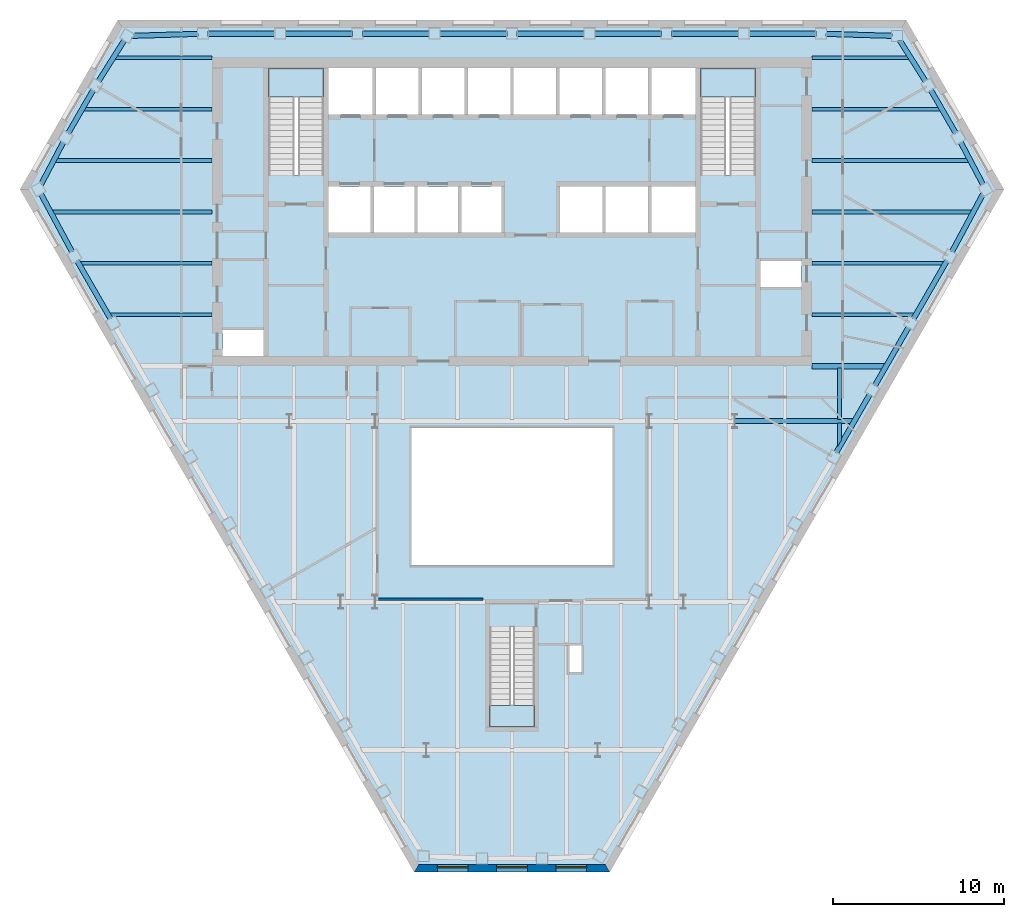
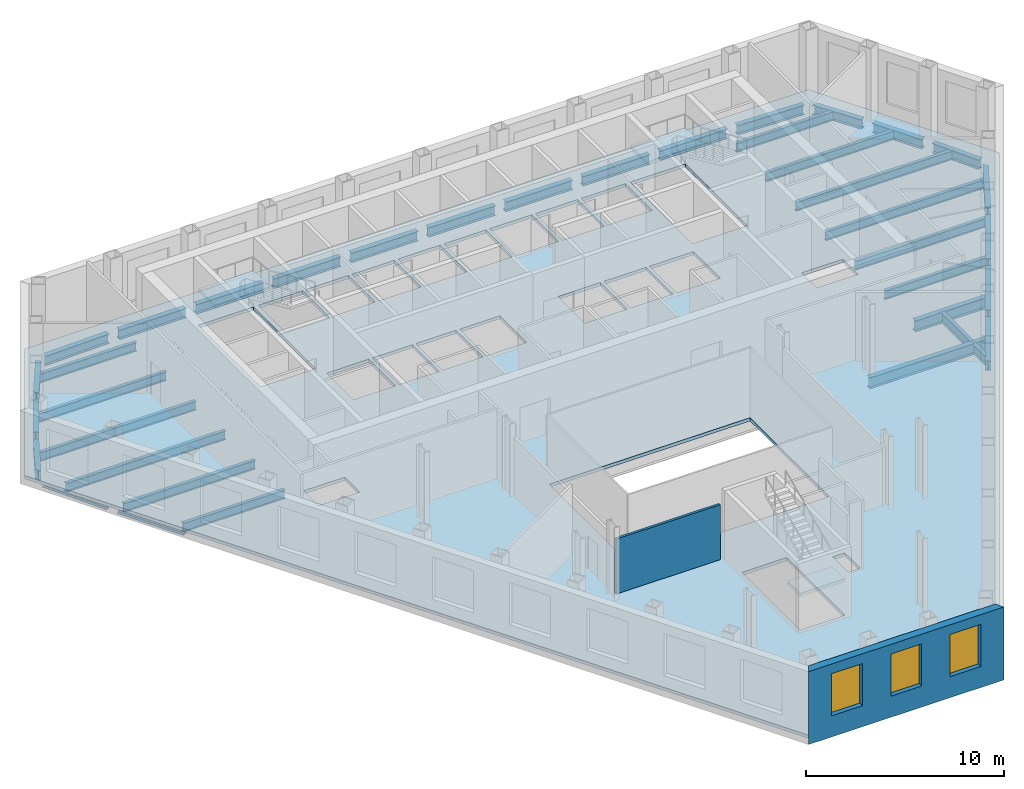
# One storey, part 3 of 10: 38 beams, 4 slabs, 3 windows, 2 walls, 3 openings, 3 elements without a shape of their own.
"""IFC4 building model written with IfcOpenShell, lengths in metres."""

from ifc_helpers import new_model, si_unit, direction, frame, frame_2d, origin, origin_2d, place, context, subcontext, project, spatial, polyline, rectangle, i_section, outline, extrude, clip, halfspace, material, layer, layer_set, material_profile, profile_set, type_object, element, fill, aggregate, save


model = new_model("IFC4")

# Units and contexts
model_context = context("Model", 3, precision=1e-05, world=origin(), true_north=direction((0.0, 1.0)))
body_context = subcontext(model_context, "Body", "Model", "MODEL_VIEW")
ifc_project = project(units=[si_unit("LENGTHUNIT", "METRE"), si_unit("AREAUNIT", "SQUARE_METRE"), si_unit("VOLUMEUNIT", "CUBIC_METRE"), si_unit("PLANEANGLEUNIT", "RADIAN"), si_unit("MASSUNIT", "GRAM", prefix="KILO")], contexts=[model_context])

# Site, building, storey
site_placement = place(None, origin())
site = spatial("IfcSite", under=ifc_project, at=site_placement, CompositionType="ELEMENT")
building_placement = place(site_placement, origin())
building = spatial("IfcBuilding", under=site, at=building_placement, Name="Njiva Tower", CompositionType="ELEMENT")
storey_placement = place(building_placement, frame((0.0, 0.0, 51.3)))
storey = spatial("IfcBuildingStorey", under=building, at=storey_placement, Name="L10", CompositionType="ELEMENT", Elevation=51.3)

# Beams
ifc_material_1 = material(Name="Steel S355 J2", Category="steel")
ifc_material_profile_1 = material_profile(ifc_material_1, i_section(OverallWidth=0.21, OverallDepth=0.55, WebThickness=0.0111, FlangeThickness=0.0172, at=origin_2d()), Name="IPE 550")
ifc_profile_set_1 = profile_set([ifc_material_profile_1], Name="Steel S355 J2")
beam_type_1 = type_object("IfcBeamType", Name="B10 Floor beam to the core IPE 550", PredefinedType="BEAM", material=ifc_profile_set_1)
beam_1_placement = place(storey_placement, frame((-23.521, 3.0, -0.475), z_axis=(1.0, 0.0, 0.0), x_axis=(0.0, 1.0, 0.0)))
element("IfcBeam", 1, at=beam_1_placement, inside=storey, type_object=beam_type_1, Name="Floor beam to the core S03-B006", PredefinedType="BEAM", context=body_context, shape_type="Clipping", body=[
    clip(extrude(i_section(OverallWidth=0.21, OverallDepth=0.55, WebThickness=0.0111, FlangeThickness=0.0172, at=origin_2d()), origin(), (0.0, 0.0, 1.0), 6.021), halfspace(frame((-0.025, 0.0, 0.0951), z_axis=(-0.499998009787, 0.0, -0.866026552831), x_axis=(0.0, -1.0, 0.0)), False)),
])
beam_2_placement = place(storey_placement, frame((17.5, 3.0, -0.475), z_axis=(1.0, 0.0, 0.0), x_axis=(0.0, 1.0, 0.0)))
element("IfcBeam", 2, at=beam_2_placement, inside=storey, type_object=beam_type_1, Name="Floor beam to the core S03-B008", PredefinedType="BEAM", context=body_context, shape_type="Clipping", body=[
    clip(extrude(i_section(OverallWidth=0.21, OverallDepth=0.55, WebThickness=0.0111, FlangeThickness=0.0172, at=origin_2d()), origin(), (0.0, 0.0, 1.0), 6.021), halfspace(frame((-0.025, 0.0, 5.9259), z_axis=(-0.499998009787, 0.0, 0.866026552831), x_axis=(0.0, 1.0, 0.0)), False)),
])
beam_3_placement = place(storey_placement, frame((-25.253, 6.0, -0.475), z_axis=(1.0, 0.0, 0.0), x_axis=(0.0, 1.0, 0.0)))
element("IfcBeam", 3, at=beam_3_placement, inside=storey, type_object=beam_type_1, Name="Floor beam to the core S03-B004", PredefinedType="BEAM", context=body_context, shape_type="Clipping", body=[
    clip(extrude(i_section(OverallWidth=0.21, OverallDepth=0.55, WebThickness=0.0111, FlangeThickness=0.0172, at=origin_2d()), origin(), (0.0, 0.0, 1.0), 7.753), halfspace(frame((-0.025, 0.0, 0.095), z_axis=(-0.499998009787, 0.0, -0.866026552831), x_axis=(0.0, -1.0, 0.0)), False)),
])
beam_4_placement = place(storey_placement, frame((17.5, 6.0, -0.475), z_axis=(1.0, 0.0, 0.0), x_axis=(0.0, 1.0, 0.0)))
element("IfcBeam", 4, at=beam_4_placement, inside=storey, type_object=beam_type_1, Name="Floor beam to the core S03-B009", PredefinedType="BEAM", context=body_context, shape_type="Clipping", body=[
    clip(extrude(i_section(OverallWidth=0.21, OverallDepth=0.55, WebThickness=0.0111, FlangeThickness=0.0172, at=origin_2d()), origin(), (0.0, 0.0, 1.0), 7.753), halfspace(frame((-0.025, 0.0, 7.658), z_axis=(-0.499998009787, 0.0, 0.866026552831), x_axis=(0.0, 1.0, 0.0)), False)),
])
beam_5_placement = place(storey_placement, frame((-26.881, 9.0, -0.475), z_axis=(1.0, 0.0, 0.0), x_axis=(0.0, 1.0, 0.0)))
element("IfcBeam", 5, at=beam_5_placement, inside=storey, type_object=beam_type_1, Name="Floor beam to the core S03-B001", PredefinedType="BEAM", context=body_context, shape_type="Clipping", body=[
    clip(extrude(i_section(OverallWidth=0.21, OverallDepth=0.55, WebThickness=0.0111, FlangeThickness=0.0172, at=origin_2d()), origin(), (0.0, 0.0, 1.0), 9.381), halfspace(frame((-0.0237, 0.0, 0.0892), z_axis=(-0.473769423091, 0.0, -0.880648927634), x_axis=(0.0, -1.0, 0.0)), False)),
])
beam_6_placement = place(storey_placement, frame((17.5, 9.0, -0.475), z_axis=(1.0, 0.0, 0.0), x_axis=(0.0, 1.0, 0.0)))
element("IfcBeam", 6, at=beam_6_placement, inside=storey, type_object=beam_type_1, Name="Floor beam to the core S03-B011", PredefinedType="BEAM", context=body_context, shape_type="Clipping", body=[
    clip(extrude(i_section(OverallWidth=0.21, OverallDepth=0.55, WebThickness=0.0111, FlangeThickness=0.0172, at=origin_2d()), origin(), (0.0, 0.0, 1.0), 9.381), halfspace(frame((-0.0237, 0.0, 9.2918), z_axis=(-0.473769423091, 0.0, 0.880648927634), x_axis=(0.0, 1.0, 0.0)), False)),
])
beam_7_placement = place(storey_placement, frame((-26.704, 12.0, -0.475), z_axis=(1.0, 0.0, 0.0), x_axis=(0.0, 1.0, 0.0)))
element("IfcBeam", 7, at=beam_7_placement, inside=storey, type_object=beam_type_1, Name="Floor beam to the core S03-B002", PredefinedType="BEAM", context=body_context, shape_type="Clipping", body=[
    clip(extrude(i_section(OverallWidth=0.21, OverallDepth=0.55, WebThickness=0.0111, FlangeThickness=0.0172, at=origin_2d()), origin(), (0.0, 0.0, 1.0), 9.204), halfspace(frame((0.0233, 0.0, 0.0871), z_axis=(0.465930652932, 0.0, -0.884821239945), x_axis=(0.0, -1.0, 0.0)), False)),
])
beam_8_placement = place(storey_placement, frame((17.5, 12.0, -0.475), z_axis=(1.0, 0.0, 0.0), x_axis=(0.0, 1.0, 0.0)))
element("IfcBeam", 8, at=beam_8_placement, inside=storey, type_object=beam_type_1, Name="Floor beam to the core S03-B012", PredefinedType="BEAM", context=body_context, shape_type="Clipping", body=[
    clip(extrude(i_section(OverallWidth=0.21, OverallDepth=0.55, WebThickness=0.0111, FlangeThickness=0.0172, at=origin_2d()), origin(), (0.0, 0.0, 1.0), 9.204), halfspace(frame((0.0233, 0.0, 9.1169), z_axis=(0.465930652932, 0.0, 0.884821239945), x_axis=(0.0, 1.0, 0.0)), False)),
])
beam_9_placement = place(storey_placement, frame((-25.044, 15.0, -0.475), z_axis=(1.0, 0.0, 0.0), x_axis=(0.0, 1.0, 0.0)))
element("IfcBeam", 9, at=beam_9_placement, inside=storey, type_object=beam_type_1, Name="Floor beam to the core S03-B005", PredefinedType="BEAM", context=body_context, shape_type="Clipping", body=[
    clip(extrude(i_section(OverallWidth=0.21, OverallDepth=0.55, WebThickness=0.0111, FlangeThickness=0.0172, at=origin_2d()), origin(), (0.0, 0.0, 1.0), 7.544), halfspace(frame((0.025, 0.0, 0.0954), z_axis=(0.499998009787, 0.0, -0.866026552831), x_axis=(0.0, -1.0, 0.0)), False)),
])
beam_10_placement = place(storey_placement, frame((17.5, 15.0, -0.475), z_axis=(1.0, 0.0, 0.0), x_axis=(0.0, 1.0, 0.0)))
element("IfcBeam", 10, at=beam_10_placement, inside=storey, type_object=beam_type_1, Name="Floor beam to the core S03-B013", PredefinedType="BEAM", context=body_context, shape_type="Clipping", body=[
    clip(extrude(i_section(OverallWidth=0.21, OverallDepth=0.55, WebThickness=0.0111, FlangeThickness=0.0172, at=origin_2d()), origin(), (0.0, 0.0, 1.0), 7.544), halfspace(frame((0.025, 0.0, 7.4486), z_axis=(0.499998009787, 0.0, 0.866026552831), x_axis=(0.0, 1.0, 0.0)), False)),
])
beam_11_placement = place(storey_placement, frame((-23.228, 18.0, -0.475), z_axis=(1.0, 0.0, 0.0), x_axis=(0.0, 1.0, 0.0)))
element("IfcBeam", 11, at=beam_11_placement, inside=storey, type_object=beam_type_1, Name="Floor beam to the core S03-B007", PredefinedType="BEAM", context=body_context, shape_type="Clipping", body=[
    clip(extrude(i_section(OverallWidth=0.21, OverallDepth=0.55, WebThickness=0.0111, FlangeThickness=0.0172, at=origin_2d()), origin(), (0.0, 0.0, 1.0), 5.728), halfspace(frame((0.0267, 0.0, 0.103), z_axis=(0.533317101749, 0.0, -0.84591540297), x_axis=(0.0, -1.0, 0.0)), False)),
])
beam_12_placement = place(storey_placement, frame((17.5, 18.0, -0.475), z_axis=(1.0, 0.0, 0.0), x_axis=(0.0, 1.0, 0.0)))
element("IfcBeam", 12, at=beam_12_placement, inside=storey, type_object=beam_type_1, Name="Floor beam to the core S03-B014", PredefinedType="BEAM", context=body_context, shape_type="Clipping", body=[
    clip(extrude(i_section(OverallWidth=0.21, OverallDepth=0.55, WebThickness=0.0111, FlangeThickness=0.0172, at=origin_2d()), origin(), (0.0, 0.0, 1.0), 5.728), halfspace(frame((0.0267, 0.0, 5.625), z_axis=(0.533317101749, 0.0, 0.84591540297), x_axis=(0.0, 1.0, 0.0)), False)),
])
ifc_material_profile_2 = material_profile(ifc_material_1, i_section(OverallWidth=0.22, OverallDepth=0.6, WebThickness=0.012, FlangeThickness=0.019, at=origin_2d()), Name="IPE 600")
ifc_profile_set_2 = profile_set([ifc_material_profile_2], Name="Steel S355 J2")
beam_type_2 = type_object("IfcBeamType", Name="B14 Short-span floor joist IPE 600", PredefinedType="JOIST", material=ifc_profile_set_2)
beam_13_placement = place(storey_placement, frame((19.1, -0.1, -0.5), z_axis=(0.0, -1.0, 0.0), x_axis=(1.0, 0.0, 0.0)))
element("IfcBeam", 13, at=beam_13_placement, inside=storey, type_object=beam_type_2, Name="Short-span floor joist S03-B096", PredefinedType="JOIST", context=body_context, shape_type="SweptSolid", body=[
    extrude(i_section(OverallWidth=0.22, OverallDepth=0.6, WebThickness=0.012, FlangeThickness=0.019, at=origin_2d()), origin(), (0.0, 0.0, 1.0), 3.0),
])
beam_14_placement = place(storey_placement, frame((19.1, -3.3, -0.5), z_axis=(0.0, -1.0, 0.0), x_axis=(1.0, 0.0, 0.0)))
element("IfcBeam", 14, at=beam_14_placement, inside=storey, type_object=beam_type_2, Name="Short-span floor joist S03-B095", PredefinedType="JOIST", context=body_context, shape_type="Clipping", body=[
    clip(extrude(i_section(OverallWidth=0.22, OverallDepth=0.6, WebThickness=0.012, FlangeThickness=0.019, at=origin_2d()), origin(), (0.0, 0.0, 1.0), 1.429), halfspace(frame((0.0433, 0.0, 1.1427), z_axis=(0.866026552831, 0.0, 0.499998009787), x_axis=(0.0, 1.0, 0.0)), False)),
])
ifc_material_profile_3 = material_profile(ifc_material_1, i_section(OverallWidth=0.3, OverallDepth=0.69, WebThickness=0.0145, FlangeThickness=0.027, at=origin_2d()), Name="HEA 700")
ifc_profile_set_3 = profile_set([ifc_material_profile_3], Name="Steel S355 J2")
beam_type_3 = type_object("IfcBeamType", Name="B15 Floor girder HEA 700", PredefinedType="BEAM", material=ifc_profile_set_3)
beam_15_placement = place(storey_placement, frame((13.0, -3.2, -0.545), z_axis=(1.0, 0.0, 0.0), x_axis=(0.0, 1.0, 0.0)))
element("IfcBeam", 15, at=beam_15_placement, inside=storey, type_object=beam_type_3, Name="Floor girder S03-B026", PredefinedType="BEAM", context=body_context, shape_type="Clipping", body=[
    clip(extrude(i_section(OverallWidth=0.3, OverallDepth=0.69, WebThickness=0.0145, FlangeThickness=0.027, at=origin_2d()), origin(), (0.0, 0.0, 1.0), 6.968), halfspace(frame((-0.025, 0.0, 6.8463), z_axis=(-0.499998009787, 0.0, 0.866026552831), x_axis=(0.0, 1.0, 0.0)), False)),
])
ifc_material_profile_4 = material_profile(ifc_material_1, i_section(OverallWidth=0.3, OverallDepth=0.69, WebThickness=0.0145, FlangeThickness=0.027, at=origin_2d()), Name="HEA 700")
ifc_profile_set_4 = profile_set([ifc_material_profile_4], Name="Steel S355 J2")
beam_type_4 = type_object("IfcBeamType", Name="B16 Short-span floor girder HEA 700", PredefinedType="BEAM", material=ifc_profile_set_4)
beam_16_placement = place(storey_placement, frame((17.5, 0.0, -0.545), z_axis=(1.0, 0.0, 0.0), x_axis=(0.0, 1.0, 0.0)))
element("IfcBeam", 16, at=beam_16_placement, inside=storey, type_object=beam_type_4, Name="Short-span floor girder S03-B027", PredefinedType="BEAM", context=body_context, shape_type="Clipping", body=[
    clip(extrude(i_section(OverallWidth=0.3, OverallDepth=0.69, WebThickness=0.0145, FlangeThickness=0.027, at=origin_2d()), origin(), (0.0, 0.0, 1.0), 4.315), halfspace(frame((-0.025, 0.0, 4.1939), z_axis=(-0.499998009787, 0.0, 0.866026552831), x_axis=(0.0, 1.0, 0.0)), False)),
])
ifc_material_profile_5 = material_profile(ifc_material_1, i_section(OverallWidth=0.3, OverallDepth=0.6, WebThickness=0.0155, FlangeThickness=0.03, at=origin_2d()), Name="HEB 600")
ifc_profile_set_5 = profile_set([ifc_material_profile_5], Name="Steel S355 J2")
beam_type_5 = type_object("IfcBeamType", Name="B3 Short-span spandrel beam HEB 600", PredefinedType="SPANDREL", material=ifc_profile_set_5)
beam_17_placement = place(storey_placement, frame((22.157, 19.276, -0.5), z_axis=(-0.999547870884, 0.030067487615, 0.0), x_axis=(-0.030067487615, -0.999547870884, 0.0)))
element("IfcBeam", 17, at=beam_17_placement, inside=storey, type_object=beam_type_5, Name="Short-span spandrel beam S03-B161", PredefinedType="SPANDREL", context=body_context, shape_type="SweptSolid", body=[
    extrude(i_section(OverallWidth=0.3, OverallDepth=0.6, WebThickness=0.0155, FlangeThickness=0.03, at=origin_2d()), origin(), (0.0, 0.0, 1.0), 3.8247),
])
beam_18_placement = place(storey_placement, frame((17.73, 19.4, -0.5), z_axis=(-1.0, 0.0, 0.0), x_axis=(0.0, -1.0, 0.0)))
element("IfcBeam", 18, at=beam_18_placement, inside=storey, type_object=beam_type_5, Name="Short-span spandrel beam S03-B155", PredefinedType="SPANDREL", context=body_context, shape_type="SweptSolid", body=[
    extrude(i_section(OverallWidth=0.3, OverallDepth=0.6, WebThickness=0.0155, FlangeThickness=0.03, at=origin_2d()), origin(), (0.0, 0.0, 1.0), 3.907),
])
beam_19_placement = place(storey_placement, frame((13.223, 19.4, -0.5), z_axis=(-1.0, 0.0, 0.0), x_axis=(0.0, -1.0, 0.0)))
element("IfcBeam", 19, at=beam_19_placement, inside=storey, type_object=beam_type_5, Name="Short-span spandrel beam S03-B149", PredefinedType="SPANDREL", context=body_context, shape_type="SweptSolid", body=[
    extrude(i_section(OverallWidth=0.3, OverallDepth=0.6, WebThickness=0.0155, FlangeThickness=0.03, at=origin_2d()), origin(), (0.0, 0.0, 1.0), 3.908),
])
beam_20_placement = place(storey_placement, frame((8.715, 19.4, -0.5), z_axis=(-1.0, 0.0, 0.0), x_axis=(0.0, -1.0, 0.0)))
element("IfcBeam", 20, at=beam_20_placement, inside=storey, type_object=beam_type_5, Name="Short-span spandrel beam S03-B144", PredefinedType="SPANDREL", context=body_context, shape_type="SweptSolid", body=[
    extrude(i_section(OverallWidth=0.3, OverallDepth=0.6, WebThickness=0.0155, FlangeThickness=0.03, at=origin_2d()), origin(), (0.0, 0.0, 1.0), 3.907),
])
for number, where, z_axis, x_axis, name in (
    (21, (4.208, 19.4, -0.5), (-1.0, 0.0, 0.0), (0.0, -1.0, 0.0), "Short-span spandrel beam S03-B141"),
    (22, (-0.3, 19.4, -0.5), (-1.0, 0.0, 0.0), (0.0, -1.0, 0.0), "Short-span spandrel beam S03-B138"),
):
    element("IfcBeam", number, at=place(storey_placement, frame(where, z_axis=z_axis, x_axis=x_axis)), inside=storey, type_object=beam_type_5, Name=name, PredefinedType="SPANDREL", context=body_context, shape_type="SweptSolid", body=[
        extrude(i_section(OverallWidth=0.3, OverallDepth=0.6, WebThickness=0.0155, FlangeThickness=0.03, at=origin_2d()), origin(), (0.0, 0.0, 1.0), 3.908),
    ])
beam_21_placement = place(storey_placement, frame((-4.808, 19.4, -0.5), z_axis=(-1.0, 0.0, 0.0), x_axis=(0.0, -1.0, 0.0)))
element("IfcBeam", 23, at=beam_21_placement, inside=storey, type_object=beam_type_5, Name="Short-span spandrel beam S03-B133", PredefinedType="SPANDREL", context=body_context, shape_type="SweptSolid", body=[
    extrude(i_section(OverallWidth=0.3, OverallDepth=0.6, WebThickness=0.0155, FlangeThickness=0.03, at=origin_2d()), origin(), (0.0, 0.0, 1.0), 3.907),
])
beam_22_placement = place(storey_placement, frame((-9.315, 19.4, -0.5), z_axis=(-1.0, 0.0, 0.0), x_axis=(0.0, -1.0, 0.0)))
element("IfcBeam", 24, at=beam_22_placement, inside=storey, type_object=beam_type_5, Name="Short-span spandrel beam S03-B128", PredefinedType="SPANDREL", context=body_context, shape_type="SweptSolid", body=[
    extrude(i_section(OverallWidth=0.3, OverallDepth=0.6, WebThickness=0.0155, FlangeThickness=0.03, at=origin_2d()), origin(), (0.0, 0.0, 1.0), 3.908),
])
beam_23_placement = place(storey_placement, frame((-13.823, 19.4, -0.5), z_axis=(-1.0, 0.0, 0.0), x_axis=(0.0, -1.0, 0.0)))
element("IfcBeam", 25, at=beam_23_placement, inside=storey, type_object=beam_type_5, Name="Short-span spandrel beam S03-B122", PredefinedType="SPANDREL", context=body_context, shape_type="SweptSolid", body=[
    extrude(i_section(OverallWidth=0.3, OverallDepth=0.6, WebThickness=0.0155, FlangeThickness=0.03, at=origin_2d()), origin(), (0.0, 0.0, 1.0), 3.907),
])
beam_24_placement = place(storey_placement, frame((-18.334, 19.391, -0.5), z_axis=(-0.999544331639, -0.030184914916, 0.0), x_axis=(0.030184914916, -0.999544331639, 0.0)))
element("IfcBeam", 26, at=beam_24_placement, inside=storey, type_object=beam_type_5, Name="Short-span spandrel beam S03-B116", PredefinedType="SPANDREL", context=body_context, shape_type="Clipping", body=[
    clip(extrude(i_section(OverallWidth=0.3, OverallDepth=0.6, WebThickness=0.0155, FlangeThickness=0.03, at=origin_2d()), origin(), (0.0, 0.0, 1.0), 3.8897), halfspace(frame((-0.0268, 0.0, 3.76), z_axis=(-0.525911114325, 0.0, 0.850539534548), x_axis=(0.0, 1.0, 0.0)), False)),
])
beam_25_placement = place(storey_placement, frame((-22.624, 19.009, -0.5), z_axis=(-0.533256650441, -0.845953512174, 0.0), x_axis=(0.845953512174, -0.533256650441, 0.0)))
element("IfcBeam", 27, at=beam_25_placement, inside=storey, type_object=beam_type_5, Name="Short-span spandrel beam S03-B112", PredefinedType="SPANDREL", context=body_context, shape_type="SweptSolid", body=[
    extrude(i_section(OverallWidth=0.3, OverallDepth=0.6, WebThickness=0.0155, FlangeThickness=0.03, at=origin_2d()), origin(), (0.0, 0.0, 1.0), 2.811),
])
beam_26_placement = place(storey_placement, frame((-24.436, 16.113, -0.5), z_axis=(-0.500150989765, -0.865938212252, 0.0), x_axis=(0.865938212252, -0.500150989765, 0.0)))
element("IfcBeam", 28, at=beam_26_placement, inside=storey, type_object=beam_type_5, Name="Short-span spandrel beam S03-B108", PredefinedType="SPANDREL", context=body_context, shape_type="SweptSolid", body=[
    extrude(i_section(OverallWidth=0.3, OverallDepth=0.6, WebThickness=0.0155, FlangeThickness=0.03, at=origin_2d()), origin(), (0.0, 0.0, 1.0), 2.8951),
])
beam_27_placement = place(storey_placement, frame((-26.176, 13.076, -0.5), z_axis=(-0.465656887995, -0.884965345459, 0.0), x_axis=(0.884965345459, -0.465656887995, 0.0)))
element("IfcBeam", 29, at=beam_27_placement, inside=storey, type_object=beam_type_5, Name="Short-span spandrel beam S03-B105", PredefinedType="SPANDREL", context=body_context, shape_type="Clipping", body=[
    clip(extrude(i_section(OverallWidth=0.3, OverallDepth=0.6, WebThickness=0.0155, FlangeThickness=0.03, at=origin_2d()), origin(), (0.0, 0.0, 1.0), 2.8767), halfspace(frame((-0.0271, 0.0, 2.7449), z_axis=(-0.533575970262, 0.0, 0.845752140972), x_axis=(0.0, 1.0, 0.0)), False)),
])
beam_28_placement = place(storey_placement, frame((-27.484, 10.051, -0.5), z_axis=(0.473881592304, -0.880588573896, 0.0), x_axis=(0.880588573896, 0.473881592304, 0.0)))
element("IfcBeam", 30, at=beam_28_placement, inside=storey, type_object=beam_type_5, Name="Short-span spandrel beam S03-B104", PredefinedType="SPANDREL", context=body_context, shape_type="SweptSolid", body=[
    extrude(i_section(OverallWidth=0.3, OverallDepth=0.6, WebThickness=0.0155, FlangeThickness=0.03, at=origin_2d()), origin(), (0.0, 0.0, 1.0), 3.8259),
])
beam_29_placement = place(storey_placement, frame((-25.377, 6.155, -0.5), z_axis=(0.499855389907, -0.866108878364, 0.0), x_axis=(0.866108878364, 0.499855389907, 0.0)))
element("IfcBeam", 31, at=beam_29_placement, inside=storey, type_object=beam_type_5, Name="Short-span spandrel beam S03-B109", PredefinedType="SPANDREL", context=body_context, shape_type="SweptSolid", body=[
    extrude(i_section(OverallWidth=0.3, OverallDepth=0.6, WebThickness=0.0155, FlangeThickness=0.03, at=origin_2d()), origin(), (0.0, 0.0, 1.0), 3.9071),
])
beam_30_placement = place(storey_placement, frame((18.916, -5.036, -0.5), z_axis=(0.500158186394, 0.865934055563, 0.0), x_axis=(-0.865934055563, 0.500158186394, 0.0)))
element("IfcBeam", 32, at=beam_30_placement, inside=storey, type_object=beam_type_5, Name="Short-span spandrel beam S03-B164", PredefinedType="SPANDREL", context=body_context, shape_type="SweptSolid", body=[
    extrude(i_section(OverallWidth=0.3, OverallDepth=0.6, WebThickness=0.0155, FlangeThickness=0.03, at=origin_2d()), origin(), (0.0, 0.0, 1.0), 3.9068),
])
beam_31_placement = place(storey_placement, frame((21.17, -1.133, -0.5), z_axis=(0.500047346826, 0.865998066356, 0.0), x_axis=(-0.865998066356, 0.500047346826, 0.0)))
element("IfcBeam", 33, at=beam_31_placement, inside=storey, type_object=beam_type_5, Name="Short-span spandrel beam S03-B166", PredefinedType="SPANDREL", context=body_context, shape_type="SweptSolid", body=[
    extrude(i_section(OverallWidth=0.3, OverallDepth=0.6, WebThickness=0.0155, FlangeThickness=0.03, at=origin_2d()), origin(), (0.0, 0.0, 1.0), 3.9076),
])
beam_32_placement = place(storey_placement, frame((23.424, 2.771, -0.5), z_axis=(0.499855389907, 0.866108878364, 0.0), x_axis=(-0.866108878364, 0.499855389907, 0.0)))
element("IfcBeam", 34, at=beam_32_placement, inside=storey, type_object=beam_type_5, Name="Short-span spandrel beam S03-B170", PredefinedType="SPANDREL", context=body_context, shape_type="SweptSolid", body=[
    extrude(i_section(OverallWidth=0.3, OverallDepth=0.6, WebThickness=0.0155, FlangeThickness=0.03, at=origin_2d()), origin(), (0.0, 0.0, 1.0), 3.9071),
])
beam_33_placement = place(storey_placement, frame((25.671, 6.682, -0.5), z_axis=(0.473799891444, 0.880632535662, 0.0), x_axis=(-0.880632535662, 0.473799891444, 0.0)))
element("IfcBeam", 35, at=beam_33_placement, inside=storey, type_object=beam_type_5, Name="Short-span spandrel beam S03-B174", PredefinedType="SPANDREL", context=body_context, shape_type="Clipping", body=[
    clip(extrude(i_section(OverallWidth=0.3, OverallDepth=0.6, WebThickness=0.0155, FlangeThickness=0.03, at=origin_2d()), origin(), (0.0, 0.0, 1.0), 3.891), halfspace(frame((-0.0262, 0.0, 3.7613), z_axis=(-0.525752156411, 0.0, 0.850637801904), x_axis=(0.0, 1.0, 0.0)), False)),
])
beam_34_placement = place(storey_placement, frame((27.485, 10.589, -0.5), z_axis=(-0.465761097572, 0.884910503943, 0.0), x_axis=(-0.884910503943, -0.465761097572, 0.0)))
element("IfcBeam", 36, at=beam_34_placement, inside=storey, type_object=beam_type_5, Name="Short-span spandrel beam S03-B175", PredefinedType="SPANDREL", context=body_context, shape_type="SweptSolid", body=[
    extrude(i_section(OverallWidth=0.3, OverallDepth=0.6, WebThickness=0.0155, FlangeThickness=0.03, at=origin_2d()), origin(), (0.0, 0.0, 1.0), 2.8105),
])
beam_35_placement = place(storey_placement, frame((25.884, 13.606, -0.5), z_axis=(-0.500150989765, 0.865938212252, 0.0), x_axis=(-0.865938212252, -0.500150989765, 0.0)))
element("IfcBeam", 37, at=beam_35_placement, inside=storey, type_object=beam_type_5, Name="Short-span spandrel beam S03-B171", PredefinedType="SPANDREL", context=body_context, shape_type="SweptSolid", body=[
    extrude(i_section(OverallWidth=0.3, OverallDepth=0.6, WebThickness=0.0155, FlangeThickness=0.03, at=origin_2d()), origin(), (0.0, 0.0, 1.0), 2.8951),
])
beam_36_placement = place(storey_placement, frame((24.123, 16.631, -0.5), z_axis=(-0.53337978316, 0.845875881508, 0.0), x_axis=(-0.845875881508, -0.53337978316, 0.0)))
element("IfcBeam", 38, at=beam_36_placement, inside=storey, type_object=beam_type_5, Name="Short-span spandrel beam S03-B167", PredefinedType="SPANDREL", context=body_context, shape_type="Clipping", body=[
    clip(extrude(i_section(OverallWidth=0.3, OverallDepth=0.6, WebThickness=0.0155, FlangeThickness=0.03, at=origin_2d()), origin(), (0.0, 0.0, 1.0), 2.8766), halfspace(frame((-0.027, 0.0, 2.7446), z_axis=(-0.53337978316, 0.0, 0.845875881508), x_axis=(0.0, 1.0, 0.0)), False)),
])

# Stair, slab
ifc_material_2 = material(Name="Concrete C40/50", Category="concrete")
stair_type_1 = type_object("IfcStairType", Name="ST4 Exit stair 1500", PredefinedType="HALF_TURN_STAIR", material=ifc_material_2)
stair_1_placement = place(storey_placement, origin())
stair_1 = element("IfcStair", 39, at=stair_1_placement, inside=storey, type_object=stair_type_1, Name="Stair A", PredefinedType="HALF_TURN_STAIR")
ifc_layer_1 = layer(ifc_material_2, 0.2)
ifc_layer_set_1 = layer_set([ifc_layer_1], Name="Concrete C40/50")
slab_type_1 = type_object("IfcSlabType", Name="FL9 Stair landing 200", PredefinedType="LANDING", material=ifc_layer_set_1)
slab_1_placement = place(storey_placement, frame((0.0, 0.0, 2.05)))
slab_1 = element("IfcSlab", 40, at=slab_1_placement, type_object=slab_type_1, Name="ST-A landing 1", PredefinedType="LANDING", context=body_context, shape_type="SweptSolid", body=[
    extrude(outline(polyline([(-14.206, 15.72), (-10.994, 15.72), (-10.994, 17.4), (-14.206, 17.4), (-14.206, 15.72)])), origin(), (0.0, 0.0, 1.0), 0.2),
])
aggregate(stair_1, [slab_1])

stair_2_placement = place(storey_placement, origin())
stair_2 = element("IfcStair", 41, at=stair_2_placement, inside=storey, type_object=stair_type_1, Name="Stair B", PredefinedType="HALF_TURN_STAIR")
slab_2_placement = place(storey_placement, frame((0.0, 0.0, 2.05)))
slab_2 = element("IfcSlab", 42, at=slab_2_placement, type_object=slab_type_1, Name="ST-B landing 1", PredefinedType="LANDING", context=body_context, shape_type="SweptSolid", body=[
    extrude(outline(polyline([(10.994, 15.72), (14.206, 15.72), (14.206, 17.4), (10.994, 17.4), (10.994, 15.72)])), origin(), (0.0, 0.0, 1.0), 0.2),
])
aggregate(stair_2, [slab_2])

stair_type_2 = type_object("IfcStairType", Name="ST1 Exit stair 1250", PredefinedType="HALF_TURN_STAIR", material=ifc_material_2)
stair_3_placement = place(storey_placement, origin())
stair_3 = element("IfcStair", 43, at=stair_3_placement, inside=storey, type_object=stair_type_2, Name="Stair C", PredefinedType="HALF_TURN_STAIR")
slab_3_placement = place(storey_placement, frame((0.0, 0.0, 2.05)))
slab_3 = element("IfcSlab", 44, at=slab_3_placement, type_object=slab_type_1, Name="ST-C landing 1", PredefinedType="LANDING", context=body_context, shape_type="SweptSolid", body=[
    extrude(outline(polyline([(-1.306, -21.05), (1.306, -21.05), (1.306, -19.78), (-1.306, -19.78), (-1.306, -21.05)])), origin(), (0.0, 0.0, 1.0), 0.2),
])
aggregate(stair_3, [slab_3])

# Slab
ifc_material_3 = material(Name="Concrete C30/37", Category="concrete")
ifc_layer_2 = layer(ifc_material_3, 0.2)
ifc_layer_set_2 = layer_set([ifc_layer_2], Name="Concrete C30/37")
slab_type_2 = type_object("IfcSlabType", Name="SL16 Composite floor slab 200", PredefinedType="FLOOR", material=ifc_layer_set_2)
slab_4_placement = place(storey_placement, frame((0.0, 0.0, -0.2)))
element("IfcSlab", 45, at=slab_4_placement, inside=storey, type_object=slab_type_2, Name="Floor slab L10", PredefinedType="FLOOR", context=body_context, shape_type="SweptSolid", body=[
    extrude(outline(polyline([(28.4452, 10.3187), (5.5751, -29.2935), (-5.5751, -29.2935), (-28.4452, 10.3187), (-22.8701, 19.975), (22.8701, 19.975), (28.4452, 10.3187)]), holes=[polyline([(14.5, 4.6269), (16.9, 4.6269), (16.9, 6.15), (14.5, 6.15), (14.5, 4.6269)]), polyline([(10.994, 17.4), (10.994, 11.13), (14.206, 11.13), (14.206, 17.4), (10.994, 17.4)]), polyline([(8.125, 17.4), (8.125, 14.7), (10.7, 14.7), (10.7, 17.4), (8.125, 17.4)]), polyline([(8.1333, 7.8), (10.7, 7.8), (10.7, 10.5), (8.1333, 10.5), (8.1333, 7.8)]), polyline([(5.4667, 10.5), (5.4667, 7.8), (7.9333, 7.8), (7.9333, 10.5), (5.4667, 10.5)]), polyline([(5.45, 17.4), (5.45, 14.7), (7.925, 14.7), (7.925, 17.4), (5.45, 17.4)]), polyline([(5.85, -11.6), (5.85, -3.6), (-5.85, -3.6), (-5.85, -11.6), (5.85, -11.6)]), polyline([(2.8, 10.5), (2.8, 7.8), (5.2667, 7.8), (5.2667, 10.5), (2.8, 10.5)]), polyline([(2.775, 14.7), (5.25, 14.7), (5.25, 17.4), (2.775, 17.4), (2.775, 14.7)]), polyline([(3.35, -17.85), (4.05, -17.85), (4.05, -16.3), (3.35, -16.3), (3.35, -17.85)]), polyline([(0.1, 17.4), (0.1, 14.7), (2.575, 14.7), (2.575, 17.4), (0.1, 17.4)]), polyline([(-1.306, -21.05), (1.306, -21.05), (1.306, -15.19), (-1.306, -15.19), (-1.306, -21.05)]), polyline([(-2.575, 17.4), (-2.575, 14.7), (-0.1, 14.7), (-0.1, 17.4), (-2.575, 17.4)]), polyline([(-2.95, 7.8), (-0.6, 7.8), (-0.6, 10.5), (-2.95, 10.5), (-2.95, 7.8)]), polyline([(-5.25, 17.4), (-5.25, 14.7), (-2.775, 14.7), (-2.775, 17.4), (-5.25, 17.4)]), polyline([(-5.5, 10.5), (-5.5, 7.8), (-3.15, 7.8), (-3.15, 10.5), (-5.5, 10.5)]), polyline([(-7.925, 14.7), (-5.45, 14.7), (-5.45, 17.4), (-7.925, 17.4), (-7.925, 14.7)]), polyline([(-8.05, 10.5), (-8.05, 7.8), (-5.7, 7.8), (-5.7, 10.5), (-8.05, 10.5)]), polyline([(-10.7, 17.4), (-10.7, 14.7), (-8.125, 14.7), (-8.125, 17.4), (-10.7, 17.4)]), polyline([(-10.7, 7.8), (-8.25, 7.8), (-8.25, 10.5), (-10.7, 10.5), (-10.7, 7.8)]), polyline([(-14.206, 17.4), (-14.206, 11.13), (-10.994, 11.13), (-10.994, 17.4), (-14.206, 17.4)]), polyline([(-16.9, 0.6), (-14.5, 0.6), (-14.5, 2.1), (-16.9, 2.1), (-16.9, 0.6)])]), origin(), (0.0, 0.0, 1.0), 0.2),
])

# Wall
ifc_material_4 = material(Name="Gypsum board on steel studs", Category="gypsum")
ifc_layer_3 = layer(ifc_material_4, 0.15)
ifc_layer_set_3 = layer_set([ifc_layer_3], Name="Gypsum board on steel studs")
wall_type_1 = type_object("IfcWallType", Name="WT21 Compartment wall 150", PredefinedType="PARTITIONING", material=ifc_layer_set_3)
wall_1_placement = place(storey_placement, frame((-7.775, -13.6, 0.0), z_axis=(0.0, 0.0, 1.0), x_axis=(1.0, 0.0, 0.0)))
element("IfcWall", 46, at=wall_1_placement, inside=storey, type_object=wall_type_1, Name="Partition S03-P010", PredefinedType="PARTITIONING", context=body_context, shape_type="SweptSolid", body=[
    extrude(rectangle(XDim=6.075, YDim=0.15, at=frame_2d((3.0375, 0.0))), origin(), (0.0, 0.0, 1.0), 3.39),
])

# Wall, openings, windows
ifc_material_5 = material(Name="Brick masonry, buff", Category="masonry")
ifc_layer_4 = layer(ifc_material_5, 0.45)
ifc_layer_set_4 = layer_set([ifc_layer_4], Name="Brick masonry, buff")
wall_type_2 = type_object("IfcWallType", Name="WT94 Brick pier and spandrel wall 450, buff", PredefinedType="SOLIDWALL", material=ifc_layer_set_4)
wall_2_placement = place(storey_placement, frame((-5.5751, -29.2935, -0.4), z_axis=(0.0, 0.0, 1.0), x_axis=(1.0, 0.0, 0.0)))
wall_2 = element("IfcWall", 47, at=wall_2_placement, inside=storey, type_object=wall_type_2, Name="Facade wall S", PredefinedType="SOLIDWALL", context=body_context, shape_type="SweptSolid", body=[
    extrude(outline(polyline([(-0.1299, -0.225), (11.2801, -0.225), (11.0203, 0.225), (0.1299, 0.225), (-0.1299, -0.225)])), origin(), (0.0, 0.0, 1.0), 4.5),
])
opening_1_placement = place(wall_2_placement, frame((1.2181, 0.0, 1.3)))
opening_1 = element("IfcOpeningElement", 48, at=opening_1_placement, cuts=wall_2, Name="Opening S03-W22", PredefinedType="OPENING", context=body_context, shape_type="SweptSolid", body=[
    extrude(rectangle(XDim=1.8, YDim=2.6, at=frame_2d((0.9, 1.3))), frame((0.0, 0.235, 0.0), z_axis=(0.0, -1.0, 0.0), x_axis=(1.0, 0.0, 0.0)), (0.0, 0.0, 1.0), 0.47),
])
opening_2_placement = place(wall_2_placement, frame((4.6751, 0.0, 1.3)))
opening_2 = element("IfcOpeningElement", 49, at=opening_2_placement, cuts=wall_2, Name="Opening S03-W23", PredefinedType="OPENING", context=body_context, shape_type="SweptSolid", body=[
    extrude(rectangle(XDim=1.8, YDim=2.6, at=frame_2d((0.9, 1.3))), frame((0.0, 0.235, 0.0), z_axis=(0.0, -1.0, 0.0), x_axis=(1.0, 0.0, 0.0)), (0.0, 0.0, 1.0), 0.47),
])
opening_3_placement = place(wall_2_placement, frame((8.1321, 0.0, 1.3)))
opening_3 = element("IfcOpeningElement", 50, at=opening_3_placement, cuts=wall_2, Name="Opening S03-W24", PredefinedType="OPENING", context=body_context, shape_type="SweptSolid", body=[
    extrude(rectangle(XDim=1.8, YDim=2.6, at=frame_2d((0.9, 1.3))), frame((0.0, 0.235, 0.0), z_axis=(0.0, -1.0, 0.0), x_axis=(1.0, 0.0, 0.0)), (0.0, 0.0, 1.0), 0.47),
])
ifc_material_6 = material(Name="Clear glazing in aluminium frame", Category="aluminium")
window_type = type_object("IfcWindowType", Name="W96 Deep-set window 1800x2600", PartitioningType="SINGLE_PANEL", PredefinedType="WINDOW", material=ifc_material_6)
window_1_placement = place(opening_1_placement, origin())
window_1 = element("IfcWindow", 51, at=window_1_placement, inside=storey, type_object=window_type, Name="Window", OverallHeight=2.6, OverallWidth=1.8, PartitioningType="SINGLE_PANEL", PredefinedType="WINDOW", context=body_context, shape_type="SweptSolid", body=[
    extrude(rectangle(XDim=1.8, YDim=2.6, at=frame_2d((0.9, 1.3))), frame((0.0, 0.105, 0.0), z_axis=(0.0, -1.0, 0.0), x_axis=(1.0, 0.0, 0.0)), (0.0, 0.0, 1.0), 0.06),
])
fill(opening_1, window_1)
window_2_placement = place(opening_2_placement, origin())
window_2 = element("IfcWindow", 52, at=window_2_placement, inside=storey, type_object=window_type, Name="Window", OverallHeight=2.6, OverallWidth=1.8, PartitioningType="SINGLE_PANEL", PredefinedType="WINDOW", context=body_context, shape_type="SweptSolid", body=[
    extrude(rectangle(XDim=1.8, YDim=2.6, at=frame_2d((0.9, 1.3))), frame((0.0, 0.105, 0.0), z_axis=(0.0, -1.0, 0.0), x_axis=(1.0, 0.0, 0.0)), (0.0, 0.0, 1.0), 0.06),
])
fill(opening_2, window_2)
window_3_placement = place(opening_3_placement, origin())
window_3 = element("IfcWindow", 53, at=window_3_placement, inside=storey, type_object=window_type, Name="Window", OverallHeight=2.6, OverallWidth=1.8, PartitioningType="SINGLE_PANEL", PredefinedType="WINDOW", context=body_context, shape_type="SweptSolid", body=[
    extrude(rectangle(XDim=1.8, YDim=2.6, at=frame_2d((0.9, 1.3))), frame((0.0, 0.105, 0.0), z_axis=(0.0, -1.0, 0.0), x_axis=(1.0, 0.0, 0.0)), (0.0, 0.0, 1.0), 0.06),
])
fill(opening_3, window_3)

save(model, "model.ifc")
